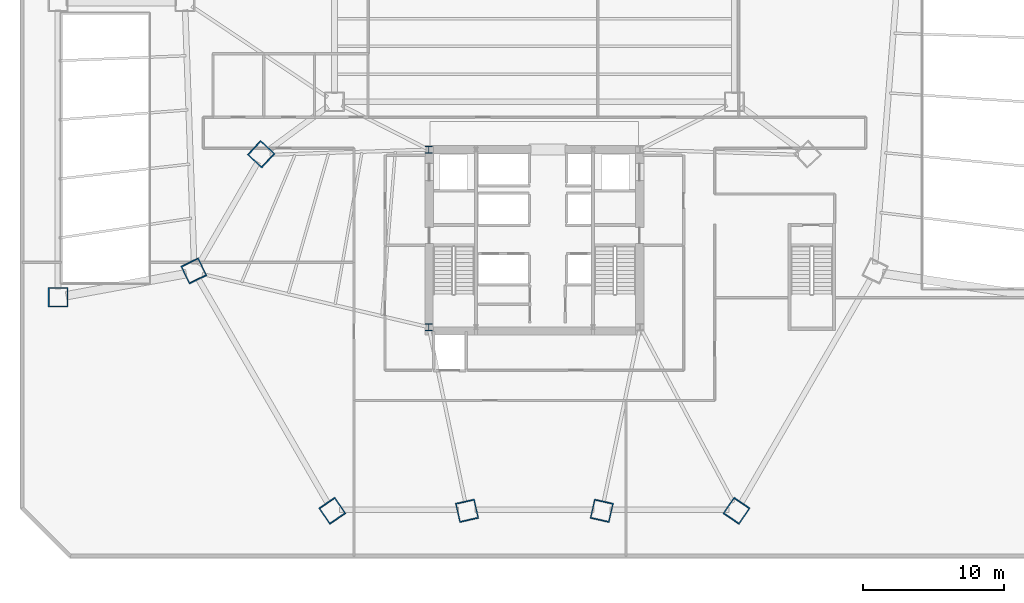
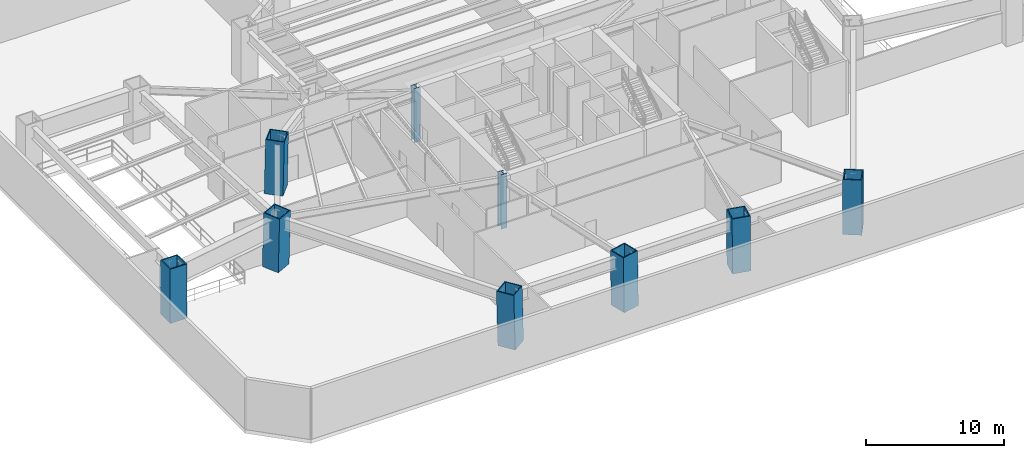
# One storey, part 1 of 11: 9 columns.
"""IFC4 building model written with IfcOpenShell, lengths in metres."""

from ifc_helpers import new_model, si_unit, direction, frame, origin, origin_2d, place, context, subcontext, project, spatial, hollow_rectangle, i_section, extrude, source, transform, mapped, material, material_profile, profile_set, type_object, type_shapes, element, save


model = new_model("IFC4")

# Units and contexts
model_context = context("Model", 3, precision=1e-05, world=origin(), true_north=direction((0.0, 1.0)))
body_context = subcontext(model_context, "Body", "Model", "MODEL_VIEW")
ifc_project = project(units=[si_unit("LENGTHUNIT", "METRE"), si_unit("AREAUNIT", "SQUARE_METRE"), si_unit("VOLUMEUNIT", "CUBIC_METRE"), si_unit("PLANEANGLEUNIT", "RADIAN"), si_unit("MASSUNIT", "GRAM", prefix="KILO")], contexts=[model_context])

# Site, building, storey
site_placement = place(None, origin())
site = spatial("IfcSite", under=ifc_project, at=site_placement, CompositionType="ELEMENT")
building_placement = place(site_placement, origin())
building = spatial("IfcBuilding", under=site, at=building_placement, Name="Caelisora Broadcast Tower", CompositionType="ELEMENT")
storey_placement = place(building_placement, frame((0.0, 0.0, 5.39990234375)))
storey = spatial("IfcBuildingStorey", under=building, at=storey_placement, Name="L01", CompositionType="ELEMENT", Elevation=5.39990234375)

# Columns
ifc_material_1 = material(Name="Steel Grade 350 (AS/NZS 3679.2)", Category="steel")
ifc_material_profile_1 = material_profile(ifc_material_1, i_section(OverallWidth=0.5, OverallDepth=0.5, WebThickness=0.028076171875, FlangeThickness=0.0400390625, at=origin_2d()), Name="Steel Grade 350 (AS/NZS 3679.2)")
ifc_profile_set_1 = profile_set([ifc_material_profile_1], Name="Steel Grade 350 (AS/NZS 3679.2)")
column_type_1 = type_object("IfcColumnType", Name="CC01", PredefinedType="COLUMN", material=ifc_profile_set_1)
shared_shape_1 = source(origin(), body_context, "Body", "SweptSolid", [
    extrude(i_section(OverallWidth=0.5, OverallDepth=0.5, WebThickness=0.028076171875, FlangeThickness=0.0400390625, at=origin_2d()), origin(), (0.0, 0.0, 1.0), 4.800048828125),
])
type_shapes(column_type_1, [shared_shape_1])
for number, where, z_axis, x_axis, name in (
    (1, (30.5, 17.39990234375, 0.0), (0.0, 0.0, 1.0), (1.0, 0.0, 0.0), "L01 column CC01"),
    (2, (30.5, 30.0, 0.0), (0.0, 0.0, 1.0), (1.0, 0.0, 0.0), "L01 column CC01"),
):
    element("IfcColumn", number, at=place(storey_placement, frame(where, z_axis=z_axis, x_axis=x_axis)), inside=storey, type_object=column_type_1, Name=name, PredefinedType="COLUMN", context=body_context, shape_type="MappedRepresentation", body=[
        mapped(shared_shape_1, transform((0.0, 0.0, 0.0), scale=1.0)),
    ])
ifc_material_2 = material(Name="Steel Grade 350 L15 (AS/NZS 3678)", Category="steel")
ifc_material_profile_2 = material_profile(ifc_material_2, hollow_rectangle(XDim=1.39990234375, YDim=1.39990234375, WallThickness=0.080078125, at=origin_2d()), Name="Steel Grade 350 L15 (AS/NZS 3678)")
ifc_profile_set_2 = profile_set([ifc_material_profile_2], Name="Steel Grade 350 L15 (AS/NZS 3678)")
column_type_2 = type_object("IfcColumnType", Name="MC01", PredefinedType="COLUMN", material=ifc_profile_set_2)
shared_shape_2 = source(origin(), body_context, "Body", "SweptSolid", [
    extrude(hollow_rectangle(XDim=1.39990234375, YDim=1.39990234375, WallThickness=0.080078125, at=origin_2d()), origin(), (0.0, 0.0, 1.0), 4.801513671875),
])
for number, where, z_axis, x_axis, name in (
    (3, (13.82470703125, 21.40673828125, 0.0), (0.01042374304, -0.021559351459, 0.999713228854), (0.900293483537, 0.435283405956, 0.0), "L01 column MC01"),
    (4, (23.66650390625, 4.3603515625, 0.0), (-0.013474599104, 0.019779694533, 0.999713558407), (-0.826452018452, -0.563007159099, 0.0), "L01 column MC01"),
    (5, (52.33349609375, 4.3603515625, 0.0), (0.013474599104, 0.019779694533, 0.999713558407), (-0.826452018452, 0.563007159099, 0.0), "L01 column MC01"),
):
    element("IfcColumn", number, at=place(storey_placement, frame(where, z_axis=z_axis, x_axis=x_axis)), inside=storey, type_object=column_type_2, Name=name, PredefinedType="COLUMN", context=body_context, shape_type="MappedRepresentation", body=[
        mapped(shared_shape_2, transform((0.0, 0.0, 0.0), scale=1.0)),
    ])
shared_shape_3 = source(origin(), body_context, "Body", "SweptSolid", [
    extrude(hollow_rectangle(XDim=1.39990234375, YDim=1.39990234375, WallThickness=0.080078125, at=origin_2d()), origin(), (0.0, 0.0, 1.0), 4.801025390625),
])
for number, where, z_axis, x_axis, name in (
    (6, (18.602783203125, 29.68212890625, 0.0), (0.014899529501, -0.013780793498, 0.999794025663), (0.679008224545, 0.734130663438, 0.0), "L01 column MC01"),
    (7, (33.22216796875, 4.3603515625, 0.0), (-0.004474945316, 0.019781292362, 0.999794316516), (-0.975354038261, -0.220645643617, 0.0), "L01 column MC01"),
    (8, (42.77783203125, 4.3603515625, 0.0), (0.004474945316, 0.019781292362, 0.999794316516), (-0.975354038261, 0.220645643617, 0.0), "L01 column MC01"),
):
    element("IfcColumn", number, at=place(storey_placement, frame(where, z_axis=z_axis, x_axis=x_axis)), inside=storey, type_object=column_type_2, Name=name, PredefinedType="COLUMN", context=body_context, shape_type="MappedRepresentation", body=[
        mapped(shared_shape_3, transform((0.0, 0.0, 0.0), scale=1.0)),
    ])
shared_shape_4 = source(origin(), body_context, "Body", "SweptSolid", [
    extrude(hollow_rectangle(XDim=1.39990234375, YDim=1.39990234375, WallThickness=0.080078125, at=origin_2d()), origin(), (0.0, 0.0, 1.0), 4.800048828125),
])
type_shapes(column_type_2, [shared_shape_2, shared_shape_3, shared_shape_4])
column_placement = place(storey_placement, frame((4.199951171875, 19.52587890625, 0.0), z_axis=(0.0, 0.0, 1.0), x_axis=(1.0, 0.0, 0.0)))
element("IfcColumn", 9, at=column_placement, inside=storey, type_object=column_type_2, Name="L01 column MC01", PredefinedType="COLUMN", context=body_context, shape_type="MappedRepresentation", body=[
    mapped(shared_shape_4, transform((0.0, 0.0, 0.0), scale=1.0)),
])

save(model, "model.ifc")
